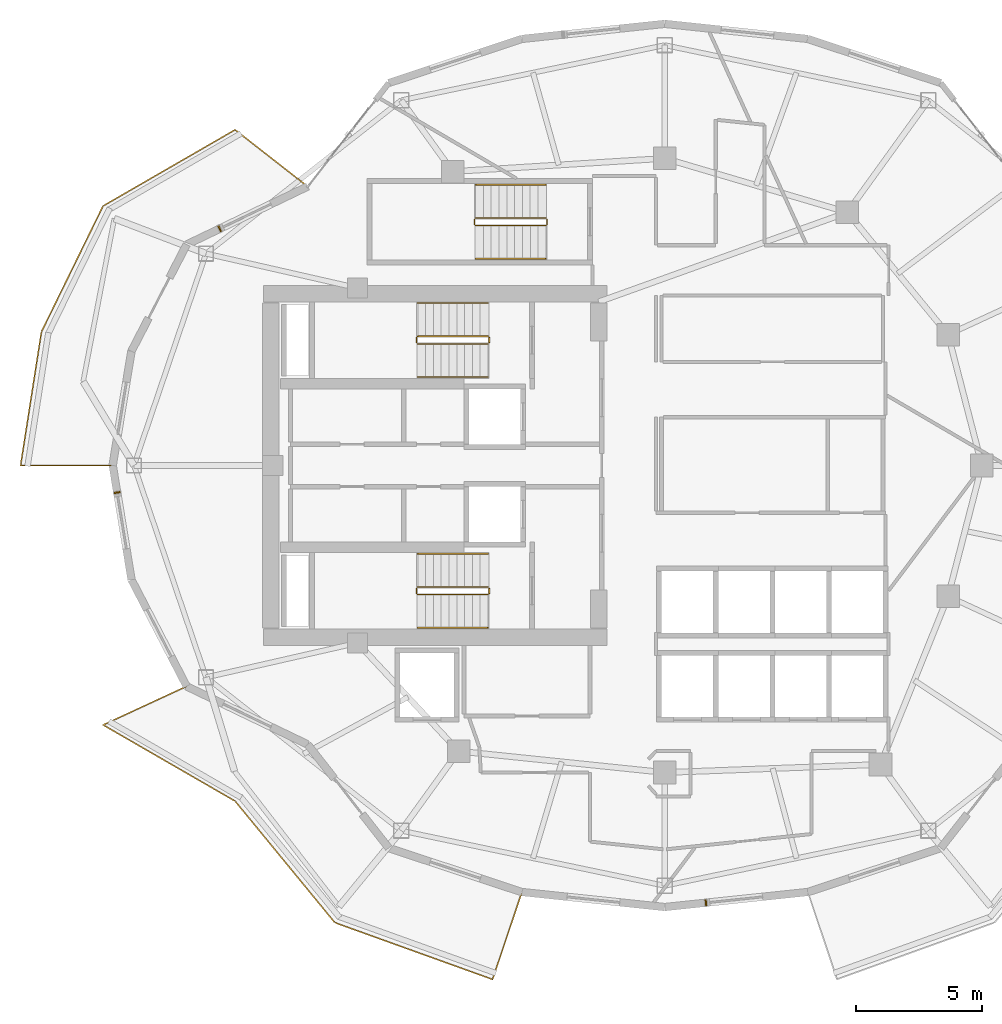
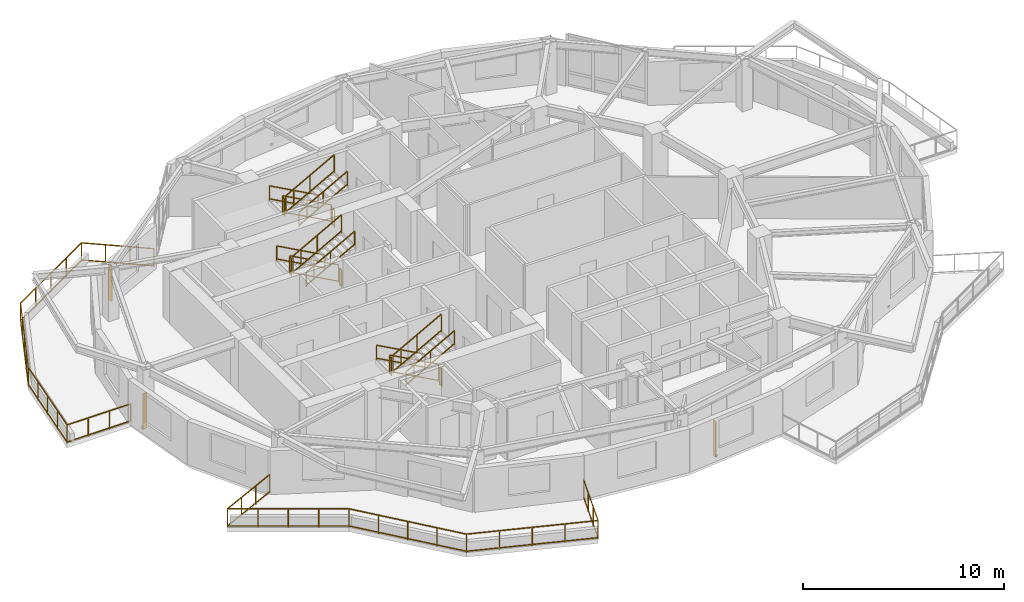
# One storey, part 11 of 13: 20 railings, 3 shading devices.
"""IFC4 building model written with IfcOpenShell, lengths in metres."""

from ifc_helpers import new_model, si_unit, direction, frame, origin, origin_2d, place, context, subcontext, project, spatial, rectangle, extrude, material, type_object, element, save


model = new_model("IFC4")

# Units and contexts
model_context = context("Model", 3, precision=1e-05, world=origin(), true_north=direction((0.0, 1.0)))
body_context = subcontext(model_context, "Body", "Model", "MODEL_VIEW")
ifc_project = project(units=[si_unit("LENGTHUNIT", "METRE"), si_unit("AREAUNIT", "SQUARE_METRE"), si_unit("VOLUMEUNIT", "CUBIC_METRE"), si_unit("PLANEANGLEUNIT", "RADIAN"), si_unit("MASSUNIT", "GRAM", prefix="KILO")], contexts=[model_context])

# Site, building, storey
site_placement = place(None, origin())
site = spatial("IfcSite", under=ifc_project, at=site_placement, CompositionType="ELEMENT")
building_placement = place(site_placement, origin())
building = spatial("IfcBuilding", under=site, at=building_placement, Name="Kolvaren Gate Tower and Convention Centre", CompositionType="ELEMENT")
storey_placement = place(building_placement, frame((0.0, 0.0, 142.699951171875)))
storey = spatial("IfcBuildingStorey", under=building, at=storey_placement, Name="L36", CompositionType="ELEMENT", Elevation=142.699951171875)

# Railings
ifc_material_1 = material(Name="Brushed Stainless Steel Grade 316L", Category="steel")
railing_type_1 = type_object("IfcRailingType", Name="ARCH-RL-GUARD-1150", PredefinedType="GUARDRAIL", material=ifc_material_1)
railing_1_placement = place(storey_placement, frame((23.10009765625, 32.1298828125, 0.170166015625)))
element("IfcRailing", 1, at=railing_1_placement, inside=storey, type_object=railing_type_1, Name="L36 ST-T1 stair guard 1", PredefinedType="GUARDRAIL", context=body_context, shape_type="SweptSolid", body=[
    extrude(rectangle(XDim=0.048095703125, YDim=0.048095703125, at=origin_2d()), frame((0.0, 0.0, 1.076171875), z_axis=(-0.876843711699, 0.0, 0.480775524808), x_axis=(0.0, -1.0, 0.0)), (0.0, 0.0, 1.0), 3.181884765625),
    extrude(rectangle(XDim=0.048095703125, YDim=0.048095703125, at=origin_2d()), frame((0.0, 0.0, 0.083984375), z_axis=(-0.876843711699, 0.0, 0.480775524808), x_axis=(0.0, -1.0, 0.0)), (0.0, 0.0, 1.0), 3.181884765625),
    extrude(rectangle(XDim=0.0419921875, YDim=0.0419921875, at=origin_2d()), origin(), (0.0, 0.0, 1.0), 1.050048828125),
    extrude(rectangle(XDim=0.0419921875, YDim=0.0419921875, at=origin_2d()), frame((-2.7900390625, 0.0, 1.52978515625)), (0.0, 0.0, 1.0), 1.050048828125),
    extrude(rectangle(XDim=0.0419921875, YDim=0.0419921875, at=origin_2d()), frame((-1.39501953125, 0.0, 0.764892578125)), (0.0, 0.0, 1.0), 1.050048828125),
])
railing_2_placement = place(storey_placement, frame((20.260009765625, 32.080078125, 1.699951171875)))
element("IfcRailing", 2, at=railing_2_placement, inside=storey, type_object=railing_type_1, Name="L36 ST-T1 stair guard 2", PredefinedType="GUARDRAIL", context=body_context, shape_type="SweptSolid", body=[
    extrude(rectangle(XDim=0.048095703125, YDim=0.048095703125, at=origin_2d()), frame((0.0, 0.0, 1.076171875), z_axis=(0.0, -1.0, 0.0), x_axis=(1.0, 0.0, 0.0)), (0.0, 0.0, 1.0), 0.2001953125),
    extrude(rectangle(XDim=0.048095703125, YDim=0.048095703125, at=origin_2d()), frame((0.0, 0.0, 0.083984375), z_axis=(0.0, -1.0, 0.0), x_axis=(1.0, 0.0, 0.0)), (0.0, 0.0, 1.0), 0.2001953125),
    extrude(rectangle(XDim=0.0419921875, YDim=0.0419921875, at=origin_2d()), origin(), (0.0, 0.0, 1.0), 1.050048828125),
    extrude(rectangle(XDim=0.0419921875, YDim=0.0419921875, at=origin_2d()), frame((0.0, -0.2001953125, 0.0)), (0.0, 0.0, 1.0), 1.050048828125),
])
railing_3_placement = place(storey_placement, frame((20.31005859375, 31.830078125, 1.8701171875)))
element("IfcRailing", 3, at=railing_3_placement, inside=storey, type_object=railing_type_1, Name="L36 ST-T1 stair guard 3", PredefinedType="GUARDRAIL", context=body_context, shape_type="SweptSolid", body=[
    extrude(rectangle(XDim=0.048095703125, YDim=0.048095703125, at=origin_2d()), frame((0.0, 0.0, 1.076171875), z_axis=(0.876811365212, 0.0, 0.480834513982), x_axis=(0.0, 1.0, 0.0)), (0.0, 0.0, 1.0), 3.18212890625),
    extrude(rectangle(XDim=0.048095703125, YDim=0.048095703125, at=origin_2d()), frame((0.0, 0.0, 0.083984375), z_axis=(0.876811365212, 0.0, 0.480834513982), x_axis=(0.0, 1.0, 0.0)), (0.0, 0.0, 1.0), 3.18212890625),
    extrude(rectangle(XDim=0.0419921875, YDim=0.0419921875, at=origin_2d()), origin(), (0.0, 0.0, 1.0), 1.050048828125),
    extrude(rectangle(XDim=0.0419921875, YDim=0.0419921875, at=origin_2d()), frame((2.7900390625, 0.0, 1.530029296875)), (0.0, 0.0, 1.0), 1.050048828125),
    extrude(rectangle(XDim=0.0419921875, YDim=0.0419921875, at=origin_2d()), frame((1.39501953125, 0.0, 0.76513671875)), (0.0, 0.0, 1.0), 1.050048828125),
])
railing_4_placement = place(storey_placement, frame((23.14990234375, 32.080078125, 0.0)))
element("IfcRailing", 4, at=railing_4_placement, inside=storey, type_object=railing_type_1, Name="L36 ST-T1 stair guard 4", PredefinedType="GUARDRAIL", context=body_context, shape_type="SweptSolid", body=[
    extrude(rectangle(XDim=0.048095703125, YDim=0.048095703125, at=origin_2d()), frame((0.0, 0.0, 1.076171875), z_axis=(0.0, -1.0, 0.0), x_axis=(1.0, 0.0, 0.0)), (0.0, 0.0, 1.0), 0.2001953125),
    extrude(rectangle(XDim=0.048095703125, YDim=0.048095703125, at=origin_2d()), frame((0.0, 0.0, 0.083984375), z_axis=(0.0, -1.0, 0.0), x_axis=(1.0, 0.0, 0.0)), (0.0, 0.0, 1.0), 0.2001953125),
    extrude(rectangle(XDim=0.0419921875, YDim=0.0419921875, at=origin_2d()), origin(), (0.0, 0.0, 1.0), 1.050048828125),
    extrude(rectangle(XDim=0.0419921875, YDim=0.0419921875, at=origin_2d()), frame((0.0, -0.2001953125, 0.0)), (0.0, 0.0, 1.0), 1.050048828125),
])
railing_5_placement = place(storey_placement, frame((23.10009765625, 22.169921875, 0.170166015625)))
element("IfcRailing", 5, at=railing_5_placement, inside=storey, type_object=railing_type_1, Name="L36 ST-T2 stair guard 1", PredefinedType="GUARDRAIL", context=body_context, shape_type="SweptSolid", body=[
    extrude(rectangle(XDim=0.048095703125, YDim=0.048095703125, at=origin_2d()), frame((0.0, 0.0, 1.076171875), z_axis=(-0.876843711699, 0.0, 0.480775524808), x_axis=(0.0, -1.0, 0.0)), (0.0, 0.0, 1.0), 3.181884765625),
    extrude(rectangle(XDim=0.048095703125, YDim=0.048095703125, at=origin_2d()), frame((0.0, 0.0, 0.083984375), z_axis=(-0.876843711699, 0.0, 0.480775524808), x_axis=(0.0, -1.0, 0.0)), (0.0, 0.0, 1.0), 3.181884765625),
    extrude(rectangle(XDim=0.0419921875, YDim=0.0419921875, at=origin_2d()), origin(), (0.0, 0.0, 1.0), 1.050048828125),
    extrude(rectangle(XDim=0.0419921875, YDim=0.0419921875, at=origin_2d()), frame((-2.7900390625, 0.0, 1.52978515625)), (0.0, 0.0, 1.0), 1.050048828125),
    extrude(rectangle(XDim=0.0419921875, YDim=0.0419921875, at=origin_2d()), frame((-1.39501953125, 0.0, 0.764892578125)), (0.0, 0.0, 1.0), 1.050048828125),
])
railing_6_placement = place(storey_placement, frame((20.260009765625, 22.1201171875, 1.699951171875)))
element("IfcRailing", 6, at=railing_6_placement, inside=storey, type_object=railing_type_1, Name="L36 ST-T2 stair guard 2", PredefinedType="GUARDRAIL", context=body_context, shape_type="SweptSolid", body=[
    extrude(rectangle(XDim=0.048095703125, YDim=0.048095703125, at=origin_2d()), frame((0.0, 0.0, 1.076171875), z_axis=(0.0, -1.0, 0.0), x_axis=(1.0, 0.0, 0.0)), (0.0, 0.0, 1.0), 0.2001953125),
    extrude(rectangle(XDim=0.048095703125, YDim=0.048095703125, at=origin_2d()), frame((0.0, 0.0, 0.083984375), z_axis=(0.0, -1.0, 0.0), x_axis=(1.0, 0.0, 0.0)), (0.0, 0.0, 1.0), 0.2001953125),
    extrude(rectangle(XDim=0.0419921875, YDim=0.0419921875, at=origin_2d()), origin(), (0.0, 0.0, 1.0), 1.050048828125),
    extrude(rectangle(XDim=0.0419921875, YDim=0.0419921875, at=origin_2d()), frame((0.0, -0.2001953125, 0.0)), (0.0, 0.0, 1.0), 1.050048828125),
])
railing_7_placement = place(storey_placement, frame((20.31005859375, 21.8701171875, 1.8701171875)))
element("IfcRailing", 7, at=railing_7_placement, inside=storey, type_object=railing_type_1, Name="L36 ST-T2 stair guard 3", PredefinedType="GUARDRAIL", context=body_context, shape_type="SweptSolid", body=[
    extrude(rectangle(XDim=0.048095703125, YDim=0.048095703125, at=origin_2d()), frame((0.0, 0.0, 1.076171875), z_axis=(0.876811365212, 0.0, 0.480834513982), x_axis=(0.0, 1.0, 0.0)), (0.0, 0.0, 1.0), 3.18212890625),
    extrude(rectangle(XDim=0.048095703125, YDim=0.048095703125, at=origin_2d()), frame((0.0, 0.0, 0.083984375), z_axis=(0.876811365212, 0.0, 0.480834513982), x_axis=(0.0, 1.0, 0.0)), (0.0, 0.0, 1.0), 3.18212890625),
    extrude(rectangle(XDim=0.0419921875, YDim=0.0419921875, at=origin_2d()), origin(), (0.0, 0.0, 1.0), 1.050048828125),
    extrude(rectangle(XDim=0.0419921875, YDim=0.0419921875, at=origin_2d()), frame((2.7900390625, 0.0, 1.530029296875)), (0.0, 0.0, 1.0), 1.050048828125),
    extrude(rectangle(XDim=0.0419921875, YDim=0.0419921875, at=origin_2d()), frame((1.39501953125, 0.0, 0.76513671875)), (0.0, 0.0, 1.0), 1.050048828125),
])
railing_8_placement = place(storey_placement, frame((23.14990234375, 22.1201171875, 0.0)))
element("IfcRailing", 8, at=railing_8_placement, inside=storey, type_object=railing_type_1, Name="L36 ST-T2 stair guard 4", PredefinedType="GUARDRAIL", context=body_context, shape_type="SweptSolid", body=[
    extrude(rectangle(XDim=0.048095703125, YDim=0.048095703125, at=origin_2d()), frame((0.0, 0.0, 1.076171875), z_axis=(0.0, -1.0, 0.0), x_axis=(1.0, 0.0, 0.0)), (0.0, 0.0, 1.0), 0.2001953125),
    extrude(rectangle(XDim=0.048095703125, YDim=0.048095703125, at=origin_2d()), frame((0.0, 0.0, 0.083984375), z_axis=(0.0, -1.0, 0.0), x_axis=(1.0, 0.0, 0.0)), (0.0, 0.0, 1.0), 0.2001953125),
    extrude(rectangle(XDim=0.0419921875, YDim=0.0419921875, at=origin_2d()), origin(), (0.0, 0.0, 1.0), 1.050048828125),
    extrude(rectangle(XDim=0.0419921875, YDim=0.0419921875, at=origin_2d()), frame((0.0, -0.2001953125, 0.0)), (0.0, 0.0, 1.0), 1.050048828125),
])
railing_9_placement = place(storey_placement, frame((25.39990234375, 36.830078125, 0.170166015625)))
element("IfcRailing", 9, at=railing_9_placement, inside=storey, type_object=railing_type_1, Name="L36 ST-T3 stair guard 1", PredefinedType="GUARDRAIL", context=body_context, shape_type="SweptSolid", body=[
    extrude(rectangle(XDim=0.048095703125, YDim=0.048095703125, at=origin_2d()), frame((0.0, 0.0, 1.076171875), z_axis=(-0.876825974686, 0.0, 0.480807872353), x_axis=(0.0, -1.0, 0.0)), (0.0, 0.0, 1.0), 3.181640625),
    extrude(rectangle(XDim=0.048095703125, YDim=0.048095703125, at=origin_2d()), frame((0.0, 0.0, 0.083984375), z_axis=(-0.876825974686, 0.0, 0.480807872353), x_axis=(0.0, -1.0, 0.0)), (0.0, 0.0, 1.0), 3.181640625),
    extrude(rectangle(XDim=0.0419921875, YDim=0.0419921875, at=origin_2d()), origin(), (0.0, 0.0, 1.0), 1.050048828125),
    extrude(rectangle(XDim=0.0419921875, YDim=0.0419921875, at=origin_2d()), frame((-2.789794921875, 0.0, 1.52978515625)), (0.0, 0.0, 1.0), 1.050048828125),
    extrude(rectangle(XDim=0.0419921875, YDim=0.0419921875, at=origin_2d()), frame((-1.39501953125, 0.0, 0.764892578125)), (0.0, 0.0, 1.0), 1.050048828125),
])
railing_10_placement = place(storey_placement, frame((22.56005859375, 36.780029296875, 1.699951171875)))
element("IfcRailing", 10, at=railing_10_placement, inside=storey, type_object=railing_type_1, Name="L36 ST-T3 stair guard 2", PredefinedType="GUARDRAIL", context=body_context, shape_type="SweptSolid", body=[
    extrude(rectangle(XDim=0.048095703125, YDim=0.048095703125, at=origin_2d()), frame((0.0, 0.0, 1.076171875), z_axis=(0.0, -1.0, 0.0), x_axis=(1.0, 0.0, 0.0)), (0.0, 0.0, 1.0), 0.199951171875),
    extrude(rectangle(XDim=0.048095703125, YDim=0.048095703125, at=origin_2d()), frame((0.0, 0.0, 0.083984375), z_axis=(0.0, -1.0, 0.0), x_axis=(1.0, 0.0, 0.0)), (0.0, 0.0, 1.0), 0.199951171875),
    extrude(rectangle(XDim=0.0419921875, YDim=0.0419921875, at=origin_2d()), origin(), (0.0, 0.0, 1.0), 1.050048828125),
    extrude(rectangle(XDim=0.0419921875, YDim=0.0419921875, at=origin_2d()), frame((0.0, -0.199951171875, 0.0)), (0.0, 0.0, 1.0), 1.050048828125),
])
railing_11_placement = place(storey_placement, frame((22.610107421875, 36.530029296875, 1.8701171875)))
element("IfcRailing", 11, at=railing_11_placement, inside=storey, type_object=railing_type_1, Name="L36 ST-T3 stair guard 3", PredefinedType="GUARDRAIL", context=body_context, shape_type="SweptSolid", body=[
    extrude(rectangle(XDim=0.048095703125, YDim=0.048095703125, at=origin_2d()), frame((0.0, 0.0, 1.076171875), z_axis=(0.8767936245, 0.0, 0.480866863109), x_axis=(0.0, 1.0, 0.0)), (0.0, 0.0, 1.0), 3.181884765625),
    extrude(rectangle(XDim=0.048095703125, YDim=0.048095703125, at=origin_2d()), frame((0.0, 0.0, 0.083984375), z_axis=(0.8767936245, 0.0, 0.480866863109), x_axis=(0.0, 1.0, 0.0)), (0.0, 0.0, 1.0), 3.181884765625),
    extrude(rectangle(XDim=0.0419921875, YDim=0.0419921875, at=origin_2d()), origin(), (0.0, 0.0, 1.0), 1.050048828125),
    extrude(rectangle(XDim=0.0419921875, YDim=0.0419921875, at=origin_2d()), frame((2.789794921875, 0.0, 1.530029296875)), (0.0, 0.0, 1.0), 1.050048828125),
    extrude(rectangle(XDim=0.0419921875, YDim=0.0419921875, at=origin_2d()), frame((1.39501953125, 0.0, 0.76513671875)), (0.0, 0.0, 1.0), 1.050048828125),
])
railing_12_placement = place(storey_placement, frame((25.449951171875, 36.780029296875, 0.0)))
element("IfcRailing", 12, at=railing_12_placement, inside=storey, type_object=railing_type_1, Name="L36 ST-T3 stair guard 4", PredefinedType="GUARDRAIL", context=body_context, shape_type="SweptSolid", body=[
    extrude(rectangle(XDim=0.048095703125, YDim=0.048095703125, at=origin_2d()), frame((0.0, 0.0, 1.076171875), z_axis=(0.0, -1.0, 0.0), x_axis=(1.0, 0.0, 0.0)), (0.0, 0.0, 1.0), 0.199951171875),
    extrude(rectangle(XDim=0.048095703125, YDim=0.048095703125, at=origin_2d()), frame((0.0, 0.0, 0.083984375), z_axis=(0.0, -1.0, 0.0), x_axis=(1.0, 0.0, 0.0)), (0.0, 0.0, 1.0), 0.199951171875),
    extrude(rectangle(XDim=0.0419921875, YDim=0.0419921875, at=origin_2d()), origin(), (0.0, 0.0, 1.0), 1.050048828125),
    extrude(rectangle(XDim=0.0419921875, YDim=0.0419921875, at=origin_2d()), frame((0.0, -0.199951171875, 0.0)), (0.0, 0.0, 1.0), 1.050048828125),
])
railing_13_placement = place(storey_placement, frame((15.9365234375, 38.0859375, 0.0)))
element("IfcRailing", 13, at=railing_13_placement, inside=storey, type_object=railing_type_1, Name="Tower L36 Terrace Perimeter Guardrail GR-2", PredefinedType="GUARDRAIL", context=body_context, shape_type="SweptSolid", body=[
    extrude(rectangle(XDim=0.048095703125, YDim=0.048095703125, at=origin_2d()), frame((-0.022216796875, 0.017333984375, 1.1259765625), z_axis=(-0.787988976981, 0.61568934712, 0.0), x_axis=(-0.61568934712, -0.787988976981, 0.0)), (0.0, 0.0, 1.0), 3.60400390625),
    extrude(rectangle(XDim=0.048095703125, YDim=0.048095703125, at=origin_2d()), frame((-0.022216796875, 0.017333984375, 0.083984375), z_axis=(-0.787988976981, 0.61568934712, 0.0), x_axis=(-0.61568934712, -0.787988976981, 0.0)), (0.0, 0.0, 1.0), 3.60400390625),
    extrude(rectangle(XDim=0.048095703125, YDim=0.048095703125, at=origin_2d()), frame((-2.908203125, 2.239501953125, 1.1259765625), z_axis=(-0.866075571306, -0.499913097234, 0.0), x_axis=(0.499913097234, -0.866075571306, 0.0)), (0.0, 0.0, 1.0), 6.004150390625),
    extrude(rectangle(XDim=0.048095703125, YDim=0.048095703125, at=origin_2d()), frame((-2.908203125, 2.239501953125, 0.083984375), z_axis=(-0.866075571306, -0.499913097234, 0.0), x_axis=(0.499913097234, -0.866075571306, 0.0)), (0.0, 0.0, 1.0), 6.004150390625),
    extrude(rectangle(XDim=0.048095703125, YDim=0.048095703125, at=origin_2d()), frame((-8.14501953125, -0.80126953125, 1.1259765625), z_axis=(-0.439655234701, -0.898166618507, 0.0), x_axis=(0.898166618507, -0.439655234701, 0.0)), (0.0, 0.0, 1.0), 5.51123046875),
    extrude(rectangle(XDim=0.048095703125, YDim=0.048095703125, at=origin_2d()), frame((-8.14501953125, -0.80126953125, 0.083984375), z_axis=(-0.439655234701, -0.898166618507, 0.0), x_axis=(0.898166618507, -0.439655234701, 0.0)), (0.0, 0.0, 1.0), 5.51123046875),
    extrude(rectangle(XDim=0.048095703125, YDim=0.048095703125, at=origin_2d()), frame((-10.584716796875, -5.804443359375, 1.1259765625), z_axis=(-0.154200861408, -0.988039520637, 0.0), x_axis=(0.988039520637, -0.154200861408, 0.0)), (0.0, 0.0, 1.0), 5.3173828125),
    extrude(rectangle(XDim=0.048095703125, YDim=0.048095703125, at=origin_2d()), frame((-10.584716796875, -5.804443359375, 0.083984375), z_axis=(-0.154200861408, -0.988039520637, 0.0), x_axis=(0.988039520637, -0.154200861408, 0.0)), (0.0, 0.0, 1.0), 5.3173828125),
    extrude(rectangle(XDim=0.048095703125, YDim=0.048095703125, at=origin_2d()), frame((-11.380859375, -11.0859375, 1.1259765625), z_axis=(1.0, 0.0, 0.0), x_axis=(0.0, 1.0, 0.0)), (0.0, 0.0, 1.0), 3.603759765625),
    extrude(rectangle(XDim=0.048095703125, YDim=0.048095703125, at=origin_2d()), frame((-11.380859375, -11.0859375, 0.083984375), z_axis=(1.0, 0.0, 0.0), x_axis=(0.0, 1.0, 0.0)), (0.0, 0.0, 1.0), 3.603759765625),
    extrude(rectangle(XDim=0.0419921875, YDim=0.0419921875, at=origin_2d()), origin(), (0.0, 0.0, 1.0), 1.14990234375),
    extrude(rectangle(XDim=0.0419921875, YDim=0.0419921875, at=origin_2d()), frame((-2.884033203125, 2.25341796875, 0.0)), (0.0, 0.0, 1.0), 1.14990234375),
    extrude(rectangle(XDim=0.0419921875, YDim=0.0419921875, at=origin_2d()), frame((-0.96142578125, 0.751220703125, 0.0)), (0.0, 0.0, 1.0), 1.099853515625),
    extrude(rectangle(XDim=0.0419921875, YDim=0.0419921875, at=origin_2d()), frame((-1.922607421875, 1.502197265625, 0.0)), (0.0, 0.0, 1.0), 1.099853515625),
    extrude(rectangle(XDim=0.0419921875, YDim=0.0419921875, at=origin_2d()), frame((-8.132568359375, -0.776123046875, 0.0)), (0.0, 0.0, 1.0), 1.14990234375),
    extrude(rectangle(XDim=0.0419921875, YDim=0.0419921875, at=origin_2d()), frame((-4.1962890625, 1.49609375, 0.0)), (0.0, 0.0, 1.0), 1.099853515625),
    extrude(rectangle(XDim=0.0419921875, YDim=0.0419921875, at=origin_2d()), frame((-5.50830078125, 0.73876953125, 0.0)), (0.0, 0.0, 1.0), 1.099853515625),
    extrude(rectangle(XDim=0.0419921875, YDim=0.0419921875, at=origin_2d()), frame((-6.8203125, -0.018798828125, 0.0)), (0.0, 0.0, 1.0), 1.099853515625),
    extrude(rectangle(XDim=0.0419921875, YDim=0.0419921875, at=origin_2d()), frame((-10.580322265625, -5.776611328125, 0.0)), (0.0, 0.0, 1.0), 1.14990234375),
    extrude(rectangle(XDim=0.0419921875, YDim=0.0419921875, at=origin_2d()), frame((-8.74462890625, -2.0263671875, 0.0)), (0.0, 0.0, 1.0), 1.099853515625),
    extrude(rectangle(XDim=0.0419921875, YDim=0.0419921875, at=origin_2d()), frame((-9.3564453125, -3.2763671875, 0.0)), (0.0, 0.0, 1.0), 1.099853515625),
    extrude(rectangle(XDim=0.0419921875, YDim=0.0419921875, at=origin_2d()), frame((-9.96826171875, -4.5263671875, 0.0)), (0.0, 0.0, 1.0), 1.099853515625),
    extrude(rectangle(XDim=0.0419921875, YDim=0.0419921875, at=origin_2d()), frame((-11.408935546875, -11.0859375, 0.0)), (0.0, 0.0, 1.0), 1.14990234375),
    extrude(rectangle(XDim=0.0419921875, YDim=0.0419921875, at=origin_2d()), frame((-10.78759765625, -7.10400390625, 0.0)), (0.0, 0.0, 1.0), 1.099853515625),
    extrude(rectangle(XDim=0.0419921875, YDim=0.0419921875, at=origin_2d()), frame((-10.99462890625, -8.43115234375, 0.0)), (0.0, 0.0, 1.0), 1.099853515625),
    extrude(rectangle(XDim=0.0419921875, YDim=0.0419921875, at=origin_2d()), frame((-11.20166015625, -9.758544921875, 0.0)), (0.0, 0.0, 1.0), 1.099853515625),
    extrude(rectangle(XDim=0.0419921875, YDim=0.0419921875, at=origin_2d()), frame((-7.7490234375, -11.0859375, 0.0)), (0.0, 0.0, 1.0), 1.14990234375),
    extrude(rectangle(XDim=0.0419921875, YDim=0.0419921875, at=origin_2d()), frame((-10.18896484375, -11.0859375, 0.0)), (0.0, 0.0, 1.0), 1.099853515625),
    extrude(rectangle(XDim=0.0419921875, YDim=0.0419921875, at=origin_2d()), frame((-8.968994140625, -11.0859375, 0.0)), (0.0, 0.0, 1.0), 1.099853515625),
])
railing_14_placement = place(storey_placement, frame((11.126708984375, 18.22509765625, 0.0)))
element("IfcRailing", 14, at=railing_14_placement, inside=storey, type_object=railing_type_1, Name="Tower L36 Terrace Perimeter Guardrail GR-3", PredefinedType="GUARDRAIL", context=body_context, shape_type="SweptSolid", body=[
    extrude(rectangle(XDim=0.048095703125, YDim=0.048095703125, at=origin_2d()), frame((-0.025390625, -0.01171875, 1.1259765625), z_axis=(-0.907820723829, -0.419358478377, 0.0), x_axis=(0.419358478377, -0.907820723829, 0.0)), (0.0, 0.0, 1.0), 3.60400390625),
    extrude(rectangle(XDim=0.048095703125, YDim=0.048095703125, at=origin_2d()), frame((-0.025390625, -0.01171875, 0.083984375), z_axis=(-0.907820723829, -0.419358478377, 0.0), x_axis=(0.419358478377, -0.907820723829, 0.0)), (0.0, 0.0, 1.0), 3.60400390625),
    extrude(rectangle(XDim=0.048095703125, YDim=0.048095703125, at=origin_2d()), frame((-3.298583984375, -1.548828125, 1.1259765625), z_axis=(0.866075571306, -0.499913097234, 0.0), x_axis=(0.499913097234, 0.866075571306, 0.0)), (0.0, 0.0, 1.0), 6.004150390625),
    extrude(rectangle(XDim=0.048095703125, YDim=0.048095703125, at=origin_2d()), frame((-3.298583984375, -1.548828125, 0.083984375), z_axis=(0.866075571306, -0.499913097234, 0.0), x_axis=(0.499913097234, 0.866075571306, 0.0)), (0.0, 0.0, 1.0), 6.004150390625),
    extrude(rectangle(XDim=0.048095703125, YDim=0.048095703125, at=origin_2d()), frame((1.943603515625, -4.586181640625, 1.1259765625), z_axis=(0.634429234628, -0.77298094818, 0.0), x_axis=(0.77298094818, 0.634429234628, 0.0)), (0.0, 0.0, 1.0), 6.188720703125),
    extrude(rectangle(XDim=0.048095703125, YDim=0.048095703125, at=origin_2d()), frame((1.943603515625, -4.586181640625, 0.083984375), z_axis=(0.634429234628, -0.77298094818, 0.0), x_axis=(0.77298094818, 0.634429234628, 0.0)), (0.0, 0.0, 1.0), 6.188720703125),
    extrude(rectangle(XDim=0.048095703125, YDim=0.048095703125, at=origin_2d()), frame((5.9140625, -9.401123046875, 1.1259765625), z_axis=(0.940948576924, -0.338549517184, 0.0), x_axis=(0.338549517184, 0.940948576924, 0.0)), (0.0, 0.0, 1.0), 6.60791015625),
    extrude(rectangle(XDim=0.048095703125, YDim=0.048095703125, at=origin_2d()), frame((5.9140625, -9.401123046875, 0.083984375), z_axis=(0.940948576924, -0.338549517184, 0.0), x_axis=(0.338549517184, 0.940948576924, 0.0)), (0.0, 0.0, 1.0), 6.60791015625),
    extrude(rectangle(XDim=0.048095703125, YDim=0.048095703125, at=origin_2d()), frame((12.1669921875, -11.62109375, 1.1259765625), z_axis=(0.317568160167, 0.94823544737, 0.0), x_axis=(-0.94823544737, 0.317568160167, 0.0)), (0.0, 0.0, 1.0), 3.60400390625),
    extrude(rectangle(XDim=0.048095703125, YDim=0.048095703125, at=origin_2d()), frame((12.1669921875, -11.62109375, 0.083984375), z_axis=(0.317568160167, 0.94823544737, 0.0), x_axis=(-0.94823544737, 0.317568160167, 0.0)), (0.0, 0.0, 1.0), 3.60400390625),
    extrude(rectangle(XDim=0.0419921875, YDim=0.0419921875, at=origin_2d()), origin(), (0.0, 0.0, 1.0), 1.14990234375),
    extrude(rectangle(XDim=0.0419921875, YDim=0.0419921875, at=origin_2d()), frame((-3.32275390625, -1.534912109375, 0.0)), (0.0, 0.0, 1.0), 1.14990234375),
    extrude(rectangle(XDim=0.0419921875, YDim=0.0419921875, at=origin_2d()), frame((-1.107666015625, -0.51171875, 0.0)), (0.0, 0.0, 1.0), 1.099853515625),
    extrude(rectangle(XDim=0.0419921875, YDim=0.0419921875, at=origin_2d()), frame((-2.215087890625, -1.023193359375, 0.0)), (0.0, 0.0, 1.0), 1.099853515625),
    extrude(rectangle(XDim=0.0419921875, YDim=0.0419921875, at=origin_2d()), frame((1.92578125, -4.564453125, 0.0)), (0.0, 0.0, 1.0), 1.14990234375),
    extrude(rectangle(XDim=0.0419921875, YDim=0.0419921875, at=origin_2d()), frame((-2.0107421875, -2.292236328125, 0.0)), (0.0, 0.0, 1.0), 1.099853515625),
    extrude(rectangle(XDim=0.0419921875, YDim=0.0419921875, at=origin_2d()), frame((-0.698486328125, -3.0498046875, 0.0)), (0.0, 0.0, 1.0), 1.099853515625),
    extrude(rectangle(XDim=0.0419921875, YDim=0.0419921875, at=origin_2d()), frame((0.61376953125, -3.80712890625, 0.0)), (0.0, 0.0, 1.0), 1.099853515625),
    extrude(rectangle(XDim=0.0419921875, YDim=0.0419921875, at=origin_2d()), frame((5.8876953125, -9.3916015625, 0.0)), (0.0, 0.0, 1.0), 1.14990234375),
    extrude(rectangle(XDim=0.0419921875, YDim=0.0419921875, at=origin_2d()), frame((2.916259765625, -5.771240234375, 0.0)), (0.0, 0.0, 1.0), 1.099853515625),
    extrude(rectangle(XDim=0.0419921875, YDim=0.0419921875, at=origin_2d()), frame((3.90673828125, -6.97802734375, 0.0)), (0.0, 0.0, 1.0), 1.099853515625),
    extrude(rectangle(XDim=0.0419921875, YDim=0.0419921875, at=origin_2d()), frame((4.897216796875, -8.184814453125, 0.0)), (0.0, 0.0, 1.0), 1.099853515625),
    extrude(rectangle(XDim=0.0419921875, YDim=0.0419921875, at=origin_2d()), frame((12.158203125, -11.647705078125, 0.0)), (0.0, 0.0, 1.0), 1.14990234375),
    extrude(rectangle(XDim=0.0419921875, YDim=0.0419921875, at=origin_2d()), frame((7.455322265625, -9.95556640625, 0.0)), (0.0, 0.0, 1.0), 1.099853515625),
    extrude(rectangle(XDim=0.0419921875, YDim=0.0419921875, at=origin_2d()), frame((9.02294921875, -10.51953125, 0.0)), (0.0, 0.0, 1.0), 1.099853515625),
    extrude(rectangle(XDim=0.0419921875, YDim=0.0419921875, at=origin_2d()), frame((10.590576171875, -11.083740234375, 0.0)), (0.0, 0.0, 1.0), 1.099853515625),
    extrude(rectangle(XDim=0.0419921875, YDim=0.0419921875, at=origin_2d()), frame((13.320556640625, -8.177001953125, 0.0)), (0.0, 0.0, 1.0), 1.14990234375),
    extrude(rectangle(XDim=0.0419921875, YDim=0.0419921875, at=origin_2d()), frame((12.545654296875, -10.49072265625, 0.0)), (0.0, 0.0, 1.0), 1.099853515625),
    extrude(rectangle(XDim=0.0419921875, YDim=0.0419921875, at=origin_2d()), frame((12.93310546875, -9.333984375, 0.0)), (0.0, 0.0, 1.0), 1.099853515625),
])
railing_type_2 = type_object("IfcRailingType", Name="ARCH-RL-HANDRAIL-920", PredefinedType="HANDRAIL", material=ifc_material_1)
railing_15_placement = place(storey_placement, frame((23.10009765625, 33.449951171875, 0.170166015625)))
element("IfcRailing", 15, at=railing_15_placement, inside=storey, type_object=railing_type_2, Name="L36 ST-T1 stair handrail 1", PredefinedType="HANDRAIL", context=body_context, shape_type="SweptSolid", body=[
    extrude(rectangle(XDim=0.048095703125, YDim=0.048095703125, at=origin_2d()), frame((0.0, 0.0, 0.8759765625), z_axis=(-0.876843711699, 0.0, 0.480775524808), x_axis=(0.0, -1.0, 0.0)), (0.0, 0.0, 1.0), 3.181884765625),
    extrude(rectangle(XDim=0.048095703125, YDim=0.048095703125, at=origin_2d()), frame((0.0, 0.0, 0.083984375), z_axis=(-0.876843711699, 0.0, 0.480775524808), x_axis=(0.0, -1.0, 0.0)), (0.0, 0.0, 1.0), 3.181884765625),
    extrude(rectangle(XDim=0.0419921875, YDim=0.0419921875, at=origin_2d()), origin(), (0.0, 0.0, 1.0), 0.849853515625),
    extrude(rectangle(XDim=0.0419921875, YDim=0.0419921875, at=origin_2d()), frame((-2.7900390625, 0.0, 1.52978515625)), (0.0, 0.0, 1.0), 0.849853515625),
    extrude(rectangle(XDim=0.0419921875, YDim=0.0419921875, at=origin_2d()), frame((-1.39501953125, 0.0, 0.764892578125)), (0.0, 0.0, 1.0), 0.849853515625),
])
railing_16_placement = place(storey_placement, frame((20.31005859375, 30.510009765625, 1.8701171875)))
element("IfcRailing", 16, at=railing_16_placement, inside=storey, type_object=railing_type_2, Name="L36 ST-T1 stair handrail 2", PredefinedType="HANDRAIL", context=body_context, shape_type="SweptSolid", body=[
    extrude(rectangle(XDim=0.048095703125, YDim=0.048095703125, at=origin_2d()), frame((0.0, 0.0, 0.8759765625), z_axis=(0.876811365212, 0.0, 0.480834513982), x_axis=(0.0, 1.0, 0.0)), (0.0, 0.0, 1.0), 3.18212890625),
    extrude(rectangle(XDim=0.048095703125, YDim=0.048095703125, at=origin_2d()), frame((0.0, 0.0, 0.083984375), z_axis=(0.876811365212, 0.0, 0.480834513982), x_axis=(0.0, 1.0, 0.0)), (0.0, 0.0, 1.0), 3.18212890625),
    extrude(rectangle(XDim=0.0419921875, YDim=0.0419921875, at=origin_2d()), origin(), (0.0, 0.0, 1.0), 0.849853515625),
    extrude(rectangle(XDim=0.0419921875, YDim=0.0419921875, at=origin_2d()), frame((2.7900390625, 0.0, 1.530029296875)), (0.0, 0.0, 1.0), 0.849853515625),
    extrude(rectangle(XDim=0.0419921875, YDim=0.0419921875, at=origin_2d()), frame((1.39501953125, 0.0, 0.76513671875)), (0.0, 0.0, 1.0), 0.849853515625),
])
railing_17_placement = place(storey_placement, frame((23.10009765625, 23.489990234375, 0.170166015625)))
element("IfcRailing", 17, at=railing_17_placement, inside=storey, type_object=railing_type_2, Name="L36 ST-T2 stair handrail 1", PredefinedType="HANDRAIL", context=body_context, shape_type="SweptSolid", body=[
    extrude(rectangle(XDim=0.048095703125, YDim=0.048095703125, at=origin_2d()), frame((0.0, 0.0, 0.8759765625), z_axis=(-0.876843711699, 0.0, 0.480775524808), x_axis=(0.0, -1.0, 0.0)), (0.0, 0.0, 1.0), 3.181884765625),
    extrude(rectangle(XDim=0.048095703125, YDim=0.048095703125, at=origin_2d()), frame((0.0, 0.0, 0.083984375), z_axis=(-0.876843711699, 0.0, 0.480775524808), x_axis=(0.0, -1.0, 0.0)), (0.0, 0.0, 1.0), 3.181884765625),
    extrude(rectangle(XDim=0.0419921875, YDim=0.0419921875, at=origin_2d()), origin(), (0.0, 0.0, 1.0), 0.849853515625),
    extrude(rectangle(XDim=0.0419921875, YDim=0.0419921875, at=origin_2d()), frame((-2.7900390625, 0.0, 1.52978515625)), (0.0, 0.0, 1.0), 0.849853515625),
    extrude(rectangle(XDim=0.0419921875, YDim=0.0419921875, at=origin_2d()), frame((-1.39501953125, 0.0, 0.764892578125)), (0.0, 0.0, 1.0), 0.849853515625),
])
railing_18_placement = place(storey_placement, frame((20.31005859375, 20.550048828125, 1.8701171875)))
element("IfcRailing", 18, at=railing_18_placement, inside=storey, type_object=railing_type_2, Name="L36 ST-T2 stair handrail 2", PredefinedType="HANDRAIL", context=body_context, shape_type="SweptSolid", body=[
    extrude(rectangle(XDim=0.048095703125, YDim=0.048095703125, at=origin_2d()), frame((0.0, 0.0, 0.8759765625), z_axis=(0.876811365212, 0.0, 0.480834513982), x_axis=(0.0, 1.0, 0.0)), (0.0, 0.0, 1.0), 3.18212890625),
    extrude(rectangle(XDim=0.048095703125, YDim=0.048095703125, at=origin_2d()), frame((0.0, 0.0, 0.083984375), z_axis=(0.876811365212, 0.0, 0.480834513982), x_axis=(0.0, 1.0, 0.0)), (0.0, 0.0, 1.0), 3.18212890625),
    extrude(rectangle(XDim=0.0419921875, YDim=0.0419921875, at=origin_2d()), origin(), (0.0, 0.0, 1.0), 0.849853515625),
    extrude(rectangle(XDim=0.0419921875, YDim=0.0419921875, at=origin_2d()), frame((2.7900390625, 0.0, 1.530029296875)), (0.0, 0.0, 1.0), 0.849853515625),
    extrude(rectangle(XDim=0.0419921875, YDim=0.0419921875, at=origin_2d()), frame((1.39501953125, 0.0, 0.76513671875)), (0.0, 0.0, 1.0), 0.849853515625),
])
railing_19_placement = place(storey_placement, frame((25.39990234375, 38.14990234375, 0.170166015625)))
element("IfcRailing", 19, at=railing_19_placement, inside=storey, type_object=railing_type_2, Name="L36 ST-T3 stair handrail 1", PredefinedType="HANDRAIL", context=body_context, shape_type="SweptSolid", body=[
    extrude(rectangle(XDim=0.048095703125, YDim=0.048095703125, at=origin_2d()), frame((0.0, 0.0, 0.8759765625), z_axis=(-0.876825974686, 0.0, 0.480807872353), x_axis=(0.0, -1.0, 0.0)), (0.0, 0.0, 1.0), 3.181640625),
    extrude(rectangle(XDim=0.048095703125, YDim=0.048095703125, at=origin_2d()), frame((0.0, 0.0, 0.083984375), z_axis=(-0.876825974686, 0.0, 0.480807872353), x_axis=(0.0, -1.0, 0.0)), (0.0, 0.0, 1.0), 3.181640625),
    extrude(rectangle(XDim=0.0419921875, YDim=0.0419921875, at=origin_2d()), origin(), (0.0, 0.0, 1.0), 0.849853515625),
    extrude(rectangle(XDim=0.0419921875, YDim=0.0419921875, at=origin_2d()), frame((-2.789794921875, 0.0, 1.52978515625)), (0.0, 0.0, 1.0), 0.849853515625),
    extrude(rectangle(XDim=0.0419921875, YDim=0.0419921875, at=origin_2d()), frame((-1.39501953125, 0.0, 0.764892578125)), (0.0, 0.0, 1.0), 0.849853515625),
])
railing_20_placement = place(storey_placement, frame((22.610107421875, 35.2099609375, 1.8701171875)))
element("IfcRailing", 20, at=railing_20_placement, inside=storey, type_object=railing_type_2, Name="L36 ST-T3 stair handrail 2", PredefinedType="HANDRAIL", context=body_context, shape_type="SweptSolid", body=[
    extrude(rectangle(XDim=0.048095703125, YDim=0.048095703125, at=origin_2d()), frame((0.0, 0.0, 0.8759765625), z_axis=(0.8767936245, 0.0, 0.480866863109), x_axis=(0.0, 1.0, 0.0)), (0.0, 0.0, 1.0), 3.181884765625),
    extrude(rectangle(XDim=0.048095703125, YDim=0.048095703125, at=origin_2d()), frame((0.0, 0.0, 0.083984375), z_axis=(0.8767936245, 0.0, 0.480866863109), x_axis=(0.0, 1.0, 0.0)), (0.0, 0.0, 1.0), 3.181884765625),
    extrude(rectangle(XDim=0.0419921875, YDim=0.0419921875, at=origin_2d()), origin(), (0.0, 0.0, 1.0), 0.849853515625),
    extrude(rectangle(XDim=0.0419921875, YDim=0.0419921875, at=origin_2d()), frame((2.789794921875, 0.0, 1.530029296875)), (0.0, 0.0, 1.0), 0.849853515625),
    extrude(rectangle(XDim=0.0419921875, YDim=0.0419921875, at=origin_2d()), frame((1.39501953125, 0.0, 0.76513671875)), (0.0, 0.0, 1.0), 0.849853515625),
])

# Shading devices
ifc_material_2 = material(Name="Kiln-Fired Bogota Terracotta Ceramic Louvre Profile", Category="masonry")
shading_device_type = type_object("IfcShadingDeviceType", Name="ARCH-SHD-FIN-180", PredefinedType="JALOUSIE", material=ifc_material_2)
for number, where, z_axis, x_axis, name in (
    (21, (12.44091796875, 36.406494140625, 0.22021484375), (0.0, 0.0, 1.0), (0.901358389955, 0.433073957723, 0.0), "Ceramic Vertical Brise-Soleil Fin FN-L36-09"),
    (22, (8.36474609375, 25.922607421875, 0.22021484375), (0.0, 0.0, 1.0), (0.162380568014, -0.986728205298, 0.0), "Ceramic Vertical Brise-Soleil Fin FN-L36-12"),
    (23, (31.760986328125, 9.622314453125, 0.22021484375), (0.0, 0.0, 1.0), (0.994499249941, 0.104743696069, 0.0), "Ceramic Vertical Brise-Soleil Fin FN-L36-18"),
):
    element("IfcShadingDevice", number, at=place(storey_placement, frame(where, z_axis=z_axis, x_axis=x_axis)), inside=storey, type_object=shading_device_type, Name=name, PredefinedType="JALOUSIE", context=body_context, shape_type="SweptSolid", body=[
        extrude(rectangle(XDim=0.06005859375, YDim=0.239990234375, at=origin_2d()), origin(), (0.0, 0.0, 1.0), 2.14990234375),
    ])

save(model, "model.ifc")
